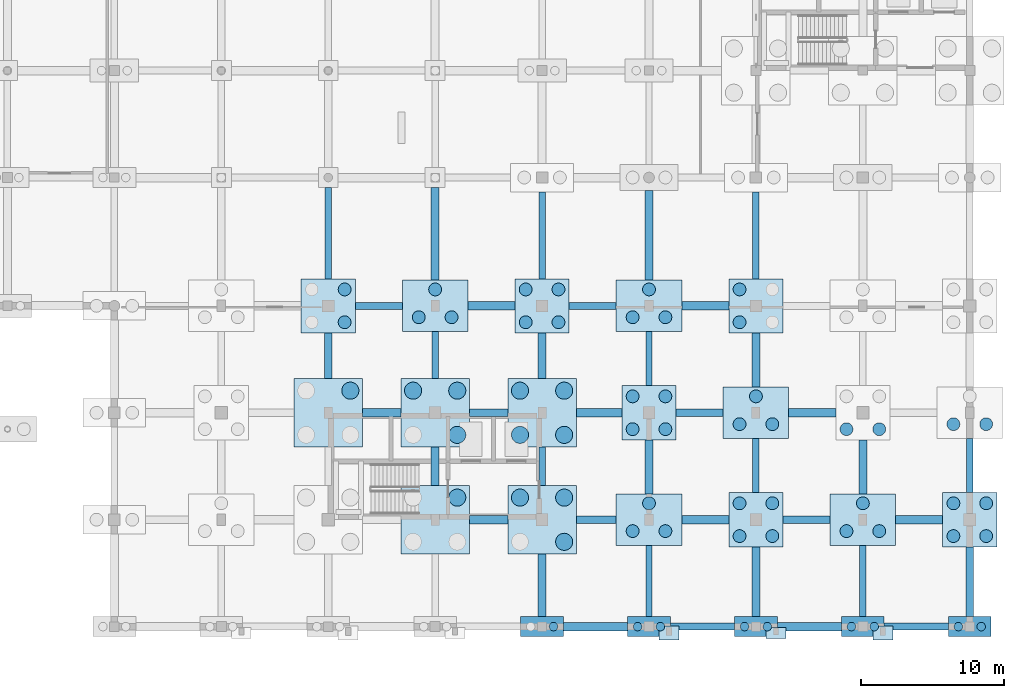
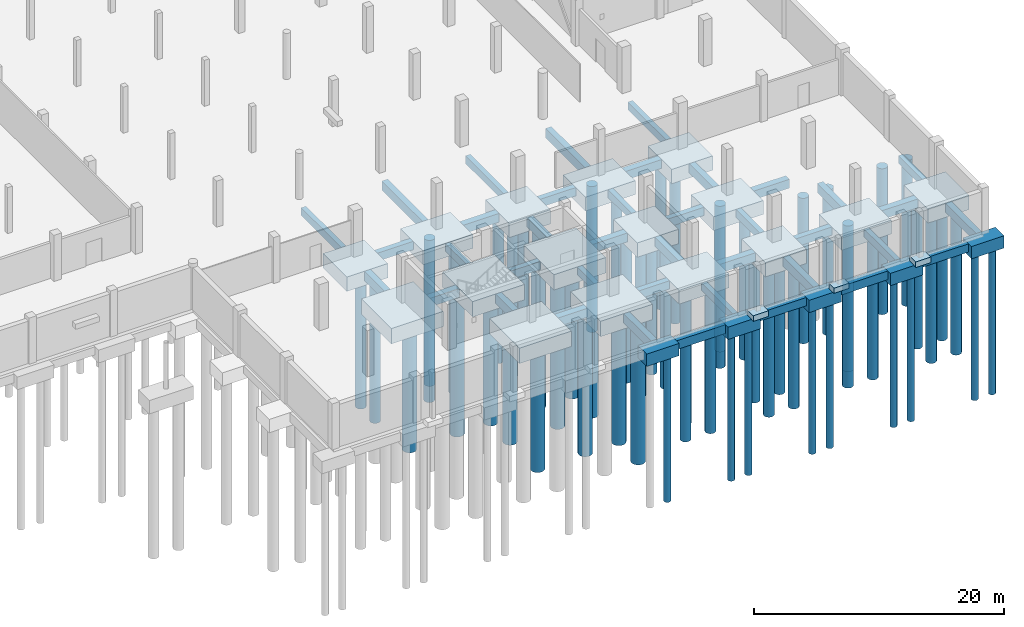
# One storey, part 11 of 42: 63 footings, 60 piles.
"""IFC4 building model written with IfcOpenShell, lengths in metres."""

from ifc_helpers import new_model, si_unit, direction, frame, origin, origin_2d, place, context, subcontext, project, spatial, rectangle, circle, extrude, material, material_profile, profile_set, type_object, element, save


model = new_model("IFC4")

# Units and contexts
model_context = context("Model", 3, precision=1e-05, world=origin(), true_north=direction((0.0, 1.0)))
body_context = subcontext(model_context, "Body", "Model", "MODEL_VIEW")
ifc_project = project(units=[si_unit("LENGTHUNIT", "METRE"), si_unit("AREAUNIT", "SQUARE_METRE"), si_unit("VOLUMEUNIT", "CUBIC_METRE"), si_unit("PLANEANGLEUNIT", "RADIAN"), si_unit("MASSUNIT", "GRAM", prefix="KILO")], contexts=[model_context])

# Site, building, storey
site_placement = place(None, origin())
site = spatial("IfcSite", under=ifc_project, at=site_placement, CompositionType="ELEMENT")
building_placement = place(site_placement, origin())
building = spatial("IfcBuilding", under=site, at=building_placement, Name="Dalvernix Boulevard General Hospital", CompositionType="ELEMENT")
storey_placement = place(building_placement, frame((0.0, 0.0, -4.5)))
storey = spatial("IfcBuildingStorey", under=building, at=storey_placement, Name="B1", CompositionType="ELEMENT", Elevation=-4.5)

# Footings
ifc_material_1 = material(Name="Concrete C35/45", Category="concrete")
footing_type_1 = type_object("IfcFootingType", Name="FTG-GB-01", PredefinedType="FOOTING_BEAM", material=ifc_material_1)
for number, where, z_axis, x_axis, name in (
    (1, (153.75, 0.0, -1.2998046875), (0.0, 0.0, 1.0), (1.0, 0.0, 0.0), "Ground beam A:21-22"),
    (2, (168.75, 0.0, -1.2998046875), (0.0, 0.0, 1.0), (1.0, 0.0, 0.0), "Ground beam A:23-24"),
):
    element("IfcFooting", number, at=place(storey_placement, frame(where, z_axis=z_axis, x_axis=x_axis)), inside=storey, type_object=footing_type_1, Name=name, PredefinedType="FOOTING_BEAM", context=body_context, shape_type="SweptSolid", body=[
        extrude(rectangle(XDim=4.5, YDim=0.5, at=origin_2d()), origin(), (0.0, 0.0, 1.0), 0.800048828125),
    ])
footing_1_placement = place(storey_placement, frame((146.300048828125, 7.5, -1.2998046875), z_axis=(0.0, 0.0, 1.0), x_axis=(1.0, 0.0, 0.0)))
element("IfcFooting", 3, at=footing_1_placement, inside=storey, type_object=footing_type_1, Name="Ground beam B:20-21", PredefinedType="FOOTING_BEAM", context=body_context, shape_type="SweptSolid", body=[
    extrude(rectangle(XDim=2.800048828125, YDim=0.5, at=origin_2d()), origin(), (0.0, 0.0, 1.0), 0.800048828125),
])
footing_2_placement = place(storey_placement, frame((161.050048828125, 7.5, -1.2998046875), z_axis=(0.0, 0.0, 1.0), x_axis=(1.0, 0.0, 0.0)))
element("IfcFooting", 4, at=footing_2_placement, inside=storey, type_object=footing_type_1, Name="Ground beam B:22-23", PredefinedType="FOOTING_BEAM", context=body_context, shape_type="SweptSolid", body=[
    extrude(rectangle(XDim=3.300048828125, YDim=0.5, at=origin_2d()), origin(), (0.0, 0.0, 1.0), 0.800048828125),
])
footing_3_placement = place(storey_placement, frame((138.75, 15.0, -1.2998046875), z_axis=(0.0, 0.0, 1.0), x_axis=(1.0, 0.0, 0.0)))
element("IfcFooting", 5, at=footing_3_placement, inside=storey, type_object=footing_type_1, Name="Ground beam C:19-20", PredefinedType="FOOTING_BEAM", context=body_context, shape_type="SweptSolid", body=[
    extrude(rectangle(XDim=2.699951171875, YDim=0.5, at=origin_2d()), origin(), (0.0, 0.0, 1.0), 0.800048828125),
])
for number, where, z_axis, x_axis, name in (
    (6, (153.550048828125, 15.0, -1.2998046875), (0.0, 0.0, 1.0), (1.0, 0.0, 0.0), "Ground beam C:21-22"),
    (7, (131.050048828125, 22.5, -1.2998046875), (0.0, 0.0, 1.0), (1.0, 0.0, 0.0), "Ground beam D:18-19"),
    (8, (146.050048828125, 22.5, -1.2998046875), (0.0, 0.0, 1.0), (1.0, 0.0, 0.0), "Ground beam D:20-21"),
):
    element("IfcFooting", number, at=place(storey_placement, frame(where, z_axis=z_axis, x_axis=x_axis)), inside=storey, type_object=footing_type_1, Name=name, PredefinedType="FOOTING_BEAM", context=body_context, shape_type="SweptSolid", body=[
        extrude(rectangle(XDim=3.300048828125, YDim=0.5, at=origin_2d()), origin(), (0.0, 0.0, 1.0), 0.800048828125),
    ])
footing_type_2 = type_object("IfcFootingType", Name="FTG-GB-02", PredefinedType="FOOTING_BEAM", material=ifc_material_1)
for number, where, z_axis, x_axis, name in (
    (9, (146.25, 0.0, -1.35009765625), (0.0, 0.0, 1.0), (1.0, 0.0, 0.0), "Ground beam A:20-21"),
    (10, (161.25, 0.0, -1.35009765625), (0.0, 0.0, 1.0), (1.0, 0.0, 0.0), "Ground beam A:22-23"),
):
    element("IfcFooting", number, at=place(storey_placement, frame(where, z_axis=z_axis, x_axis=x_axis)), inside=storey, type_object=footing_type_2, Name=name, PredefinedType="FOOTING_BEAM", context=body_context, shape_type="SweptSolid", body=[
        extrude(rectangle(XDim=4.5, YDim=0.60009765625, at=origin_2d()), origin(), (0.0, 0.0, 1.0), 0.85009765625),
    ])
footing_4_placement = place(storey_placement, frame((138.75, 7.5, -1.35009765625), z_axis=(0.0, 0.0, 1.0), x_axis=(1.0, 0.0, 0.0)))
element("IfcFooting", 11, at=footing_4_placement, inside=storey, type_object=footing_type_2, Name="Ground beam B:19-20", PredefinedType="FOOTING_BEAM", context=body_context, shape_type="SweptSolid", body=[
    extrude(rectangle(XDim=2.699951171875, YDim=0.60009765625, at=origin_2d()), origin(), (0.0, 0.0, 1.0), 0.85009765625),
])
for number, where, z_axis, x_axis, name in (
    (12, (153.949951171875, 7.5, -1.35009765625), (0.0, 0.0, 1.0), (1.0, 0.0, 0.0), "Ground beam B:21-22"),
    (13, (168.949951171875, 7.5, -1.35009765625), (0.0, 0.0, 1.0), (1.0, 0.0, 0.0), "Ground beam B:23-24"),
):
    element("IfcFooting", number, at=place(storey_placement, frame(where, z_axis=z_axis, x_axis=x_axis)), inside=storey, type_object=footing_type_2, Name=name, PredefinedType="FOOTING_BEAM", context=body_context, shape_type="SweptSolid", body=[
        extrude(rectangle(XDim=3.300048828125, YDim=0.60009765625, at=origin_2d()), origin(), (0.0, 0.0, 1.0), 0.85009765625),
    ])
footing_5_placement = place(storey_placement, frame((131.25, 15.0, -1.35009765625), z_axis=(0.0, 0.0, 1.0), x_axis=(1.0, 0.0, 0.0)))
element("IfcFooting", 14, at=footing_5_placement, inside=storey, type_object=footing_type_2, Name="Ground beam C:18-19", PredefinedType="FOOTING_BEAM", context=body_context, shape_type="SweptSolid", body=[
    extrude(rectangle(XDim=2.699951171875, YDim=0.60009765625, at=origin_2d()), origin(), (0.0, 0.0, 1.0), 0.85009765625),
])
footing_6_placement = place(storey_placement, frame((146.5, 15.0, -1.35009765625), z_axis=(0.0, 0.0, 1.0), x_axis=(1.0, 0.0, 0.0)))
element("IfcFooting", 15, at=footing_6_placement, inside=storey, type_object=footing_type_2, Name="Ground beam C:20-21", PredefinedType="FOOTING_BEAM", context=body_context, shape_type="SweptSolid", body=[
    extrude(rectangle(XDim=3.199951171875, YDim=0.60009765625, at=origin_2d()), origin(), (0.0, 0.0, 1.0), 0.85009765625),
])
for number, where, z_axis, x_axis, name in (
    (16, (161.449951171875, 15.0, -1.35009765625), (0.0, 0.0, 1.0), (1.0, 0.0, 0.0), "Ground beam C:22-23"),
    (17, (138.949951171875, 22.5, -1.35009765625), (0.0, 0.0, 1.0), (1.0, 0.0, 0.0), "Ground beam D:19-20"),
    (18, (153.949951171875, 22.5, -1.35009765625), (0.0, 0.0, 1.0), (1.0, 0.0, 0.0), "Ground beam D:21-22"),
):
    element("IfcFooting", number, at=place(storey_placement, frame(where, z_axis=z_axis, x_axis=x_axis)), inside=storey, type_object=footing_type_2, Name=name, PredefinedType="FOOTING_BEAM", context=body_context, shape_type="SweptSolid", body=[
        extrude(rectangle(XDim=3.300048828125, YDim=0.60009765625, at=origin_2d()), origin(), (0.0, 0.0, 1.0), 0.85009765625),
    ])
footing_type_3 = type_object("IfcFootingType", Name="FTG-GB-03", PredefinedType="FOOTING_BEAM", material=ifc_material_1)
footing_7_placement = place(storey_placement, frame((127.5, 27.60009765625, -1.25), z_axis=(0.0, 0.0, 1.0), x_axis=(0.0, 1.0, 0.0)))
element("IfcFooting", 19, at=footing_7_placement, inside=storey, type_object=footing_type_3, Name="Ground beam 18:D-E", PredefinedType="FOOTING_BEAM", context=body_context, shape_type="SweptSolid", body=[
    extrude(rectangle(XDim=6.39990234375, YDim=0.449951171875, at=origin_2d()), origin(), (0.0, 0.0, 1.0), 0.75),
])
footing_8_placement = place(storey_placement, frame((135.0, 19.050048828125, -1.25), z_axis=(0.0, 0.0, 1.0), x_axis=(0.0, 1.0, 0.0)))
element("IfcFooting", 20, at=footing_8_placement, inside=storey, type_object=footing_type_3, Name="Ground beam 19:C-D", PredefinedType="FOOTING_BEAM", context=body_context, shape_type="SweptSolid", body=[
    extrude(rectangle(XDim=3.300048828125, YDim=0.449951171875, at=origin_2d()), origin(), (0.0, 0.0, 1.0), 0.75),
])
footing_9_placement = place(storey_placement, frame((142.5, 11.25, -1.25), z_axis=(0.0, 0.0, 1.0), x_axis=(0.0, 1.0, 0.0)))
element("IfcFooting", 21, at=footing_9_placement, inside=storey, type_object=footing_type_3, Name="Ground beam 20:B-C", PredefinedType="FOOTING_BEAM", context=body_context, shape_type="SweptSolid", body=[
    extrude(rectangle(XDim=2.699951171875, YDim=0.449951171875, at=origin_2d()), origin(), (0.0, 0.0, 1.0), 0.75),
])
footing_10_placement = place(storey_placement, frame((142.5, 27.449951171875, -1.25), z_axis=(0.0, 0.0, 1.0), x_axis=(0.0, 1.0, 0.0)))
element("IfcFooting", 22, at=footing_10_placement, inside=storey, type_object=footing_type_3, Name="Ground beam 20:D-E", PredefinedType="FOOTING_BEAM", context=body_context, shape_type="SweptSolid", body=[
    extrude(rectangle(XDim=6.10009765625, YDim=0.449951171875, at=origin_2d()), origin(), (0.0, 0.0, 1.0), 0.75),
])
footing_11_placement = place(storey_placement, frame((150.0, 3.199951171875, -1.25), z_axis=(0.0, 0.0, 1.0), x_axis=(0.0, 1.0, 0.0)))
element("IfcFooting", 23, at=footing_11_placement, inside=storey, type_object=footing_type_3, Name="Ground beam 21:A-B", PredefinedType="FOOTING_BEAM", context=body_context, shape_type="SweptSolid", body=[
    extrude(rectangle(XDim=5.0, YDim=0.449951171875, at=origin_2d()), origin(), (0.0, 0.0, 1.0), 0.75),
])
for number, where, z_axis, x_axis, name in (
    (24, (150.0, 18.800048828125, -1.25), (0.0, 0.0, 1.0), (0.0, 1.0, 0.0), "Ground beam 21:C-D"),
    (25, (157.5, 11.300048828125, -1.25), (0.0, 0.0, 1.0), (0.0, 1.0, 0.0), "Ground beam 22:B-C"),
):
    element("IfcFooting", number, at=place(storey_placement, frame(where, z_axis=z_axis, x_axis=x_axis)), inside=storey, type_object=footing_type_3, Name=name, PredefinedType="FOOTING_BEAM", context=body_context, shape_type="SweptSolid", body=[
        extrude(rectangle(XDim=3.800048828125, YDim=0.449951171875, at=origin_2d()), origin(), (0.0, 0.0, 1.0), 0.75),
    ])
footing_12_placement = place(storey_placement, frame((157.5, 27.449951171875, -1.25), z_axis=(0.0, 0.0, 1.0), x_axis=(0.0, 1.0, 0.0)))
element("IfcFooting", 26, at=footing_12_placement, inside=storey, type_object=footing_type_3, Name="Ground beam 22:D-E", PredefinedType="FOOTING_BEAM", context=body_context, shape_type="SweptSolid", body=[
    extrude(rectangle(XDim=6.10009765625, YDim=0.449951171875, at=origin_2d()), origin(), (0.0, 0.0, 1.0), 0.75),
])
footing_13_placement = place(storey_placement, frame((165.0, 3.199951171875, -1.25), z_axis=(0.0, 0.0, 1.0), x_axis=(0.0, 1.0, 0.0)))
element("IfcFooting", 27, at=footing_13_placement, inside=storey, type_object=footing_type_3, Name="Ground beam 23:A-B", PredefinedType="FOOTING_BEAM", context=body_context, shape_type="SweptSolid", body=[
    extrude(rectangle(XDim=5.0, YDim=0.449951171875, at=origin_2d()), origin(), (0.0, 0.0, 1.0), 0.75),
])
footing_14_placement = place(storey_placement, frame((172.5, 11.300048828125, -1.25), z_axis=(0.0, 0.0, 1.0), x_axis=(0.0, 1.0, 0.0)))
element("IfcFooting", 28, at=footing_14_placement, inside=storey, type_object=footing_type_3, Name="Ground beam 24:B-C", PredefinedType="FOOTING_BEAM", context=body_context, shape_type="SweptSolid", body=[
    extrude(rectangle(XDim=3.800048828125, YDim=0.449951171875, at=origin_2d()), origin(), (0.0, 0.0, 1.0), 0.75),
])
footing_type_4 = type_object("IfcFootingType", Name="FTG-GB-04", PredefinedType="FOOTING_BEAM", material=ifc_material_1)
footing_15_placement = place(storey_placement, frame((127.5, 19.0, -1.39990234375), z_axis=(0.0, 0.0, 1.0), x_axis=(0.0, 1.0, 0.0)))
element("IfcFooting", 29, at=footing_15_placement, inside=storey, type_object=footing_type_4, Name="Ground beam 18:C-D", PredefinedType="FOOTING_BEAM", context=body_context, shape_type="SweptSolid", body=[
    extrude(rectangle(XDim=3.199951171875, YDim=0.550048828125, at=origin_2d()), origin(), (0.0, 0.0, 1.0), 0.89990234375),
])
footing_16_placement = place(storey_placement, frame((135.0, 11.25, -1.39990234375), z_axis=(0.0, 0.0, 1.0), x_axis=(0.0, 1.0, 0.0)))
element("IfcFooting", 30, at=footing_16_placement, inside=storey, type_object=footing_type_4, Name="Ground beam 19:B-C", PredefinedType="FOOTING_BEAM", context=body_context, shape_type="SweptSolid", body=[
    extrude(rectangle(XDim=2.699951171875, YDim=0.550048828125, at=origin_2d()), origin(), (0.0, 0.0, 1.0), 0.89990234375),
])
footing_17_placement = place(storey_placement, frame((135.0, 27.550048828125, -1.39990234375), z_axis=(0.0, 0.0, 1.0), x_axis=(0.0, 1.0, 0.0)))
element("IfcFooting", 31, at=footing_17_placement, inside=storey, type_object=footing_type_4, Name="Ground beam 19:D-E", PredefinedType="FOOTING_BEAM", context=body_context, shape_type="SweptSolid", body=[
    extrude(rectangle(XDim=6.5, YDim=0.550048828125, at=origin_2d()), origin(), (0.0, 0.0, 1.0), 0.89990234375),
])
footing_18_placement = place(storey_placement, frame((142.5, 2.89990234375, -1.39990234375), z_axis=(0.0, 0.0, 1.0), x_axis=(0.0, 1.0, 0.0)))
element("IfcFooting", 32, at=footing_18_placement, inside=storey, type_object=footing_type_4, Name="Ground beam 20:A-B", PredefinedType="FOOTING_BEAM", context=body_context, shape_type="SweptSolid", body=[
    extrude(rectangle(XDim=4.39990234375, YDim=0.550048828125, at=origin_2d()), origin(), (0.0, 0.0, 1.0), 0.89990234375),
])
footing_19_placement = place(storey_placement, frame((142.5, 19.0, -1.39990234375), z_axis=(0.0, 0.0, 1.0), x_axis=(0.0, 1.0, 0.0)))
element("IfcFooting", 33, at=footing_19_placement, inside=storey, type_object=footing_type_4, Name="Ground beam 20:C-D", PredefinedType="FOOTING_BEAM", context=body_context, shape_type="SweptSolid", body=[
    extrude(rectangle(XDim=3.199951171875, YDim=0.550048828125, at=origin_2d()), origin(), (0.0, 0.0, 1.0), 0.89990234375),
])
footing_20_placement = place(storey_placement, frame((150.0, 11.199951171875, -1.39990234375), z_axis=(0.0, 0.0, 1.0), x_axis=(0.0, 1.0, 0.0)))
element("IfcFooting", 34, at=footing_20_placement, inside=storey, type_object=footing_type_4, Name="Ground beam 21:B-C", PredefinedType="FOOTING_BEAM", context=body_context, shape_type="SweptSolid", body=[
    extrude(rectangle(XDim=3.800048828125, YDim=0.550048828125, at=origin_2d()), origin(), (0.0, 0.0, 1.0), 0.89990234375),
])
footing_21_placement = place(storey_placement, frame((150.0, 27.449951171875, -1.39990234375), z_axis=(0.0, 0.0, 1.0), x_axis=(0.0, 1.0, 0.0)))
element("IfcFooting", 35, at=footing_21_placement, inside=storey, type_object=footing_type_4, Name="Ground beam 21:D-E", PredefinedType="FOOTING_BEAM", context=body_context, shape_type="SweptSolid", body=[
    extrude(rectangle(XDim=6.300048828125, YDim=0.550048828125, at=origin_2d()), origin(), (0.0, 0.0, 1.0), 0.89990234375),
])
footing_22_placement = place(storey_placement, frame((157.5, 3.14990234375, -1.39990234375), z_axis=(0.0, 0.0, 1.0), x_axis=(0.0, 1.0, 0.0)))
element("IfcFooting", 36, at=footing_22_placement, inside=storey, type_object=footing_type_4, Name="Ground beam 22:A-B", PredefinedType="FOOTING_BEAM", context=body_context, shape_type="SweptSolid", body=[
    extrude(rectangle(XDim=4.89990234375, YDim=0.550048828125, at=origin_2d()), origin(), (0.0, 0.0, 1.0), 0.89990234375),
])
for number, where, z_axis, x_axis, name in (
    (37, (157.5, 18.699951171875, -1.39990234375), (0.0, 0.0, 1.0), (0.0, 1.0, 0.0), "Ground beam 22:C-D"),
    (38, (165.0, 11.199951171875, -1.39990234375), (0.0, 0.0, 1.0), (0.0, 1.0, 0.0), "Ground beam 23:B-C"),
):
    element("IfcFooting", number, at=place(storey_placement, frame(where, z_axis=z_axis, x_axis=x_axis)), inside=storey, type_object=footing_type_4, Name=name, PredefinedType="FOOTING_BEAM", context=body_context, shape_type="SweptSolid", body=[
        extrude(rectangle(XDim=3.800048828125, YDim=0.550048828125, at=origin_2d()), origin(), (0.0, 0.0, 1.0), 0.89990234375),
    ])
footing_23_placement = place(storey_placement, frame((172.5, 3.14990234375, -1.39990234375), z_axis=(0.0, 0.0, 1.0), x_axis=(0.0, 1.0, 0.0)))
element("IfcFooting", 39, at=footing_23_placement, inside=storey, type_object=footing_type_4, Name="Ground beam 24:A-B", PredefinedType="FOOTING_BEAM", context=body_context, shape_type="SweptSolid", body=[
    extrude(rectangle(XDim=4.89990234375, YDim=0.550048828125, at=origin_2d()), origin(), (0.0, 0.0, 1.0), 0.89990234375),
])
ifc_material_2 = material(Name="Concrete C40/50", Category="concrete")
footing_type_5 = type_object("IfcFootingType", Name="FTG-PC-02", PredefinedType="PILE_CAP", material=ifc_material_2)
for number, where, z_axis, x_axis, name in (
    (40, (142.5, 0.0, -1.7001953125), (0.0, 0.0, 1.0), (1.0, 0.0, 0.0), "Pile cap 20A"),
    (41, (150.0, 0.0, -1.7001953125), (0.0, 0.0, 1.0), (1.0, 0.0, 0.0), "Pile cap 21A"),
    (42, (157.5, 0.0, -1.7001953125), (0.0, 0.0, 1.0), (1.0, 0.0, 0.0), "Pile cap 22A"),
    (43, (165.0, 0.0, -1.7001953125), (0.0, 0.0, 1.0), (1.0, 0.0, 0.0), "Pile cap 23A"),
    (44, (172.5, 0.0, -1.7001953125), (0.0, 0.0, 1.0), (1.0, 0.0, 0.0), "Pile cap 24A"),
):
    element("IfcFooting", number, at=place(storey_placement, frame(where, z_axis=z_axis, x_axis=x_axis)), inside=storey, type_object=footing_type_5, Name=name, PredefinedType="PILE_CAP", context=body_context, shape_type="SweptSolid", body=[
        extrude(rectangle(XDim=3.0, YDim=1.39990234375, at=origin_2d()), origin(), (0.0, 0.0, 1.0), 1.199951171875),
    ])
footing_type_6 = type_object("IfcFootingType", Name="FTG-PC-06", PredefinedType="PILE_CAP", material=ifc_material_2)
for number, where, z_axis, x_axis, name in (
    (45, (135.0, 22.5, -1.85009765625), (0.0, 0.0, 1.0), (1.0, 0.0, 0.0), "Pile cap 19D"),
    (46, (150.0, 7.5, -1.85009765625), (0.0, 0.0, 1.0), (1.0, 0.0, 0.0), "Pile cap 21B"),
    (47, (150.0, 22.5, -1.85009765625), (0.0, 0.0, 1.0), (1.0, 0.0, 0.0), "Pile cap 21D"),
    (48, (157.5, 15.0, -1.85009765625), (0.0, 0.0, 1.0), (1.0, 0.0, 0.0), "Pile cap 22C"),
    (49, (165.0, 7.5, -1.85009765625), (0.0, 0.0, 1.0), (1.0, 0.0, 0.0), "Pile cap 23B"),
):
    element("IfcFooting", number, at=place(storey_placement, frame(where, z_axis=z_axis, x_axis=x_axis)), inside=storey, type_object=footing_type_6, Name=name, PredefinedType="PILE_CAP", context=body_context, shape_type="SweptSolid", body=[
        extrude(rectangle(XDim=4.60009765625, YDim=3.60009765625, at=origin_2d()), origin(), (0.0, 0.0, 1.0), 1.35009765625),
    ])
footing_type_7 = type_object("IfcFootingType", Name="FTG-PC-07", PredefinedType="PILE_CAP", material=ifc_material_2)
for number, where, z_axis, x_axis, name in (
    (50, (127.5, 22.5, -1.89990234375), (0.0, 0.0, 1.0), (1.0, 0.0, 0.0), "Pile cap 18D"),
    (51, (142.5, 22.5, -1.89990234375), (0.0, 0.0, 1.0), (1.0, 0.0, 0.0), "Pile cap 20D"),
    (52, (150.0, 15.0, -1.89990234375), (0.0, 0.0, 1.0), (1.0, 0.0, 0.0), "Pile cap 21C"),
    (53, (157.5, 7.5, -1.89990234375), (0.0, 0.0, 1.0), (1.0, 0.0, 0.0), "Pile cap 22B"),
    (54, (157.5, 22.5, -1.89990234375), (0.0, 0.0, 1.0), (1.0, 0.0, 0.0), "Pile cap 22D"),
    (55, (172.5, 7.5, -1.89990234375), (0.0, 0.0, 1.0), (1.0, 0.0, 0.0), "Pile cap 24B"),
):
    element("IfcFooting", number, at=place(storey_placement, frame(where, z_axis=z_axis, x_axis=x_axis)), inside=storey, type_object=footing_type_7, Name=name, PredefinedType="PILE_CAP", context=body_context, shape_type="SweptSolid", body=[
        extrude(rectangle(XDim=3.800048828125, YDim=3.800048828125, at=origin_2d()), origin(), (0.0, 0.0, 1.0), 1.39990234375),
    ])
footing_type_8 = type_object("IfcFootingType", Name="FTG-PC-09", PredefinedType="PILE_CAP", material=ifc_material_2)
for number, where, z_axis, x_axis, name in (
    (56, (127.5, 15.0, -2.0), (0.0, 0.0, 1.0), (1.0, 0.0, 0.0), "Pile cap 18C"),
    (57, (135.0, 7.5, -2.0), (0.0, 0.0, 1.0), (1.0, 0.0, 0.0), "Pile cap 19B"),
    (58, (135.0, 15.0, -2.0), (0.0, 0.0, 1.0), (1.0, 0.0, 0.0), "Pile cap 19C"),
    (59, (142.5, 7.5, -2.0), (0.0, 0.0, 1.0), (1.0, 0.0, 0.0), "Pile cap 20B"),
    (60, (142.5, 15.0, -2.0), (0.0, 0.0, 1.0), (1.0, 0.0, 0.0), "Pile cap 20C"),
):
    element("IfcFooting", number, at=place(storey_placement, frame(where, z_axis=z_axis, x_axis=x_axis)), inside=storey, type_object=footing_type_8, Name=name, PredefinedType="PILE_CAP", context=body_context, shape_type="SweptSolid", body=[
        extrude(rectangle(XDim=4.800048828125, YDim=4.800048828125, at=origin_2d()), origin(), (0.0, 0.0, 1.0), 1.5),
    ])
footing_type_9 = type_object("IfcFootingType", Name="FTG-SF-01", PredefinedType="STRIP_FOOTING", material=ifc_material_1)
footing_24_placement = place(storey_placement, frame((158.89990234375, -0.449951171875, -0.5), z_axis=(0.0, 0.0, 1.0), x_axis=(1.0, 0.0, 0.0)))
element("IfcFooting", 61, at=footing_24_placement, inside=storey, type_object=footing_type_9, Name="Boulevard buttress strip footing 11", PredefinedType="STRIP_FOOTING", context=body_context, shape_type="SweptSolid", body=[
    extrude(rectangle(XDim=1.39990234375, YDim=0.800048828125, at=origin_2d()), origin(), (0.0, 0.0, 1.0), 0.5),
])
footing_type_10 = type_object("IfcFootingType", Name="FTG-SF-02", PredefinedType="STRIP_FOOTING", material=ifc_material_1)
for number, where, z_axis, x_axis, name in (
    (62, (151.39990234375, -0.449951171875, -0.5498046875), (0.0, 0.0, 1.0), (1.0, 0.0, 0.0), "Boulevard buttress strip footing 10"),
    (63, (166.39990234375, -0.449951171875, -0.5498046875), (0.0, 0.0, 1.0), (1.0, 0.0, 0.0), "Boulevard buttress strip footing 12"),
):
    element("IfcFooting", number, at=place(storey_placement, frame(where, z_axis=z_axis, x_axis=x_axis)), inside=storey, type_object=footing_type_10, Name=name, PredefinedType="STRIP_FOOTING", context=body_context, shape_type="SweptSolid", body=[
        extrude(rectangle(XDim=1.39990234375, YDim=1.0, at=origin_2d()), origin(), (0.0, 0.0, 1.0), 0.550048828125),
    ])

# Piles
ifc_material_profile_1 = material_profile(ifc_material_1, circle(Radius=0.300048828125, at=origin_2d()), Name="BORED PILE D600")
ifc_profile_set_1 = profile_set([ifc_material_profile_1], Name="Concrete C35/45")
pile_type_1 = type_object("IfcPileType", Name="PILE-PL-01", PredefinedType="BORED", material=ifc_profile_set_1)
for number, where, z_axis, x_axis, name in (
    (64, (143.300048828125, 0.0, -1.60009765625), (0.0, 0.0, -1.0), (1.0, 0.0, 0.0), "Bored pile 20A-2"),
    (65, (149.199951171875, 0.0, -1.60009765625), (0.0, 0.0, -1.0), (1.0, 0.0, 0.0), "Bored pile 21A-1"),
    (66, (150.800048828125, 0.0, -1.60009765625), (0.0, 0.0, -1.0), (1.0, 0.0, 0.0), "Bored pile 21A-2"),
    (67, (156.699951171875, 0.0, -1.60009765625), (0.0, 0.0, -1.0), (1.0, 0.0, 0.0), "Bored pile 22A-1"),
    (68, (158.300048828125, 0.0, -1.60009765625), (0.0, 0.0, -1.0), (1.0, 0.0, 0.0), "Bored pile 22A-2"),
    (69, (164.199951171875, 0.0, -1.60009765625), (0.0, 0.0, -1.0), (1.0, 0.0, 0.0), "Bored pile 23A-1"),
    (70, (165.800048828125, 0.0, -1.60009765625), (0.0, 0.0, -1.0), (1.0, 0.0, 0.0), "Bored pile 23A-2"),
    (71, (171.699951171875, 0.0, -1.60009765625), (0.0, 0.0, -1.0), (1.0, 0.0, 0.0), "Bored pile 24A-1"),
    (72, (173.300048828125, 0.0, -1.60009765625), (0.0, 0.0, -1.0), (1.0, 0.0, 0.0), "Bored pile 24A-2"),
):
    element("IfcPile", number, at=place(storey_placement, frame(where, z_axis=z_axis, x_axis=x_axis)), inside=storey, type_object=pile_type_1, Name=name, PredefinedType="BORED", context=body_context, shape_type="SweptSolid", body=[
        extrude(circle(Radius=0.300048828125, at=origin_2d()), origin(), (0.0, 0.0, 1.0), 14.39990234375),
    ])
ifc_material_profile_2 = material_profile(ifc_material_1, circle(Radius=0.449951171875, at=origin_2d()), Name="BORED PILE D900")
ifc_profile_set_2 = profile_set([ifc_material_profile_2], Name="Concrete C35/45")
pile_type_2 = type_object("IfcPileType", Name="PILE-PL-02", PredefinedType="BORED", material=ifc_profile_set_2)
for number, where, z_axis, x_axis, name in (
    (73, (128.64990234375, 21.35009765625, -1.800048828125), (0.0, 0.0, -1.0), (1.0, 0.0, 0.0), "Bored pile 18D-2"),
    (74, (128.64990234375, 23.64990234375, -1.800048828125), (0.0, 0.0, -1.0), (1.0, 0.0, 0.0), "Bored pile 18D-4"),
):
    element("IfcPile", number, at=place(storey_placement, frame(where, z_axis=z_axis, x_axis=x_axis)), inside=storey, type_object=pile_type_2, Name=name, PredefinedType="BORED", context=body_context, shape_type="SweptSolid", body=[
        extrude(circle(Radius=0.449951171875, at=origin_2d()), origin(), (0.0, 0.0, 1.0), 14.199951171875),
    ])
for number, where, z_axis, x_axis, name in (
    (75, (133.85009765625, 21.699951171875, -1.75), (0.0, 0.0, -1.0), (1.0, 0.0, 0.0), "Bored pile 19D-1"),
    (76, (136.14990234375, 21.699951171875, -1.75), (0.0, 0.0, -1.0), (1.0, 0.0, 0.0), "Bored pile 19D-2"),
    (77, (135.0, 23.64990234375, -1.75), (0.0, 0.0, -1.0), (1.0, 0.0, 0.0), "Bored pile 19D-3"),
):
    element("IfcPile", number, at=place(storey_placement, frame(where, z_axis=z_axis, x_axis=x_axis)), inside=storey, type_object=pile_type_2, Name=name, PredefinedType="BORED", context=body_context, shape_type="SweptSolid", body=[
        extrude(circle(Radius=0.449951171875, at=origin_2d()), origin(), (0.0, 0.0, 1.0), 14.25),
    ])
for number, where, z_axis, x_axis, name in (
    (78, (141.35009765625, 21.35009765625, -1.800048828125), (0.0, 0.0, -1.0), (1.0, 0.0, 0.0), "Bored pile 20D-1"),
    (79, (143.64990234375, 21.35009765625, -1.800048828125), (0.0, 0.0, -1.0), (1.0, 0.0, 0.0), "Bored pile 20D-2"),
    (80, (141.35009765625, 23.64990234375, -1.800048828125), (0.0, 0.0, -1.0), (1.0, 0.0, 0.0), "Bored pile 20D-3"),
    (81, (143.64990234375, 23.64990234375, -1.800048828125), (0.0, 0.0, -1.0), (1.0, 0.0, 0.0), "Bored pile 20D-4"),
):
    element("IfcPile", number, at=place(storey_placement, frame(where, z_axis=z_axis, x_axis=x_axis)), inside=storey, type_object=pile_type_2, Name=name, PredefinedType="BORED", context=body_context, shape_type="SweptSolid", body=[
        extrude(circle(Radius=0.449951171875, at=origin_2d()), origin(), (0.0, 0.0, 1.0), 14.199951171875),
    ])
for number, where, z_axis, x_axis, name in (
    (82, (148.85009765625, 6.699951171875, -1.75), (0.0, 0.0, -1.0), (1.0, 0.0, 0.0), "Bored pile 21B-1"),
    (83, (151.14990234375, 6.699951171875, -1.75), (0.0, 0.0, -1.0), (1.0, 0.0, 0.0), "Bored pile 21B-2"),
    (84, (150.0, 8.64990234375, -1.75), (0.0, 0.0, -1.0), (1.0, 0.0, 0.0), "Bored pile 21B-3"),
):
    element("IfcPile", number, at=place(storey_placement, frame(where, z_axis=z_axis, x_axis=x_axis)), inside=storey, type_object=pile_type_2, Name=name, PredefinedType="BORED", context=body_context, shape_type="SweptSolid", body=[
        extrude(circle(Radius=0.449951171875, at=origin_2d()), origin(), (0.0, 0.0, 1.0), 14.25),
    ])
for number, where, z_axis, x_axis, name in (
    (85, (148.85009765625, 13.85009765625, -1.800048828125), (0.0, 0.0, -1.0), (1.0, 0.0, 0.0), "Bored pile 21C-1"),
    (86, (151.14990234375, 13.85009765625, -1.800048828125), (0.0, 0.0, -1.0), (1.0, 0.0, 0.0), "Bored pile 21C-2"),
    (87, (148.85009765625, 16.14990234375, -1.800048828125), (0.0, 0.0, -1.0), (1.0, 0.0, 0.0), "Bored pile 21C-3"),
    (88, (151.14990234375, 16.14990234375, -1.800048828125), (0.0, 0.0, -1.0), (1.0, 0.0, 0.0), "Bored pile 21C-4"),
):
    element("IfcPile", number, at=place(storey_placement, frame(where, z_axis=z_axis, x_axis=x_axis)), inside=storey, type_object=pile_type_2, Name=name, PredefinedType="BORED", context=body_context, shape_type="SweptSolid", body=[
        extrude(circle(Radius=0.449951171875, at=origin_2d()), origin(), (0.0, 0.0, 1.0), 14.199951171875),
    ])
for number, where, z_axis, x_axis, name in (
    (89, (148.85009765625, 21.699951171875, -1.75), (0.0, 0.0, -1.0), (1.0, 0.0, 0.0), "Bored pile 21D-1"),
    (90, (151.14990234375, 21.699951171875, -1.75), (0.0, 0.0, -1.0), (1.0, 0.0, 0.0), "Bored pile 21D-2"),
    (91, (150.0, 23.64990234375, -1.75), (0.0, 0.0, -1.0), (1.0, 0.0, 0.0), "Bored pile 21D-3"),
):
    element("IfcPile", number, at=place(storey_placement, frame(where, z_axis=z_axis, x_axis=x_axis)), inside=storey, type_object=pile_type_2, Name=name, PredefinedType="BORED", context=body_context, shape_type="SweptSolid", body=[
        extrude(circle(Radius=0.449951171875, at=origin_2d()), origin(), (0.0, 0.0, 1.0), 14.25),
    ])
for number, where, z_axis, x_axis, name in (
    (92, (156.35009765625, 6.35009765625, -1.800048828125), (0.0, 0.0, -1.0), (1.0, 0.0, 0.0), "Bored pile 22B-1"),
    (93, (158.64990234375, 6.35009765625, -1.800048828125), (0.0, 0.0, -1.0), (1.0, 0.0, 0.0), "Bored pile 22B-2"),
    (94, (156.35009765625, 8.64990234375, -1.800048828125), (0.0, 0.0, -1.0), (1.0, 0.0, 0.0), "Bored pile 22B-3"),
    (95, (158.64990234375, 8.64990234375, -1.800048828125), (0.0, 0.0, -1.0), (1.0, 0.0, 0.0), "Bored pile 22B-4"),
):
    element("IfcPile", number, at=place(storey_placement, frame(where, z_axis=z_axis, x_axis=x_axis)), inside=storey, type_object=pile_type_2, Name=name, PredefinedType="BORED", context=body_context, shape_type="SweptSolid", body=[
        extrude(circle(Radius=0.449951171875, at=origin_2d()), origin(), (0.0, 0.0, 1.0), 14.199951171875),
    ])
for number, where, z_axis, x_axis, name in (
    (96, (156.35009765625, 14.199951171875, -1.75), (0.0, 0.0, -1.0), (1.0, 0.0, 0.0), "Bored pile 22C-1"),
    (97, (158.64990234375, 14.199951171875, -1.75), (0.0, 0.0, -1.0), (1.0, 0.0, 0.0), "Bored pile 22C-2"),
    (98, (157.5, 16.14990234375, -1.75), (0.0, 0.0, -1.0), (1.0, 0.0, 0.0), "Bored pile 22C-3"),
):
    element("IfcPile", number, at=place(storey_placement, frame(where, z_axis=z_axis, x_axis=x_axis)), inside=storey, type_object=pile_type_2, Name=name, PredefinedType="BORED", context=body_context, shape_type="SweptSolid", body=[
        extrude(circle(Radius=0.449951171875, at=origin_2d()), origin(), (0.0, 0.0, 1.0), 14.25),
    ])
for number, where, z_axis, x_axis, name in (
    (99, (156.35009765625, 21.35009765625, -1.800048828125), (0.0, 0.0, -1.0), (1.0, 0.0, 0.0), "Bored pile 22D-1"),
    (100, (156.35009765625, 23.64990234375, -1.800048828125), (0.0, 0.0, -1.0), (1.0, 0.0, 0.0), "Bored pile 22D-3"),
):
    element("IfcPile", number, at=place(storey_placement, frame(where, z_axis=z_axis, x_axis=x_axis)), inside=storey, type_object=pile_type_2, Name=name, PredefinedType="BORED", context=body_context, shape_type="SweptSolid", body=[
        extrude(circle(Radius=0.449951171875, at=origin_2d()), origin(), (0.0, 0.0, 1.0), 14.199951171875),
    ])
for number, where, z_axis, x_axis, name in (
    (101, (163.85009765625, 6.699951171875, -1.75), (0.0, 0.0, -1.0), (1.0, 0.0, 0.0), "Bored pile 23B-1"),
    (102, (166.14990234375, 6.699951171875, -1.75), (0.0, 0.0, -1.0), (1.0, 0.0, 0.0), "Bored pile 23B-2"),
    (103, (165.0, 8.64990234375, -1.75), (0.0, 0.0, -1.0), (1.0, 0.0, 0.0), "Bored pile 23B-3"),
):
    element("IfcPile", number, at=place(storey_placement, frame(where, z_axis=z_axis, x_axis=x_axis)), inside=storey, type_object=pile_type_2, Name=name, PredefinedType="BORED", context=body_context, shape_type="SweptSolid", body=[
        extrude(circle(Radius=0.449951171875, at=origin_2d()), origin(), (0.0, 0.0, 1.0), 14.25),
    ])
for number, where, z_axis, x_axis, name in (
    (104, (163.85009765625, 13.85009765625, -1.800048828125), (0.0, 0.0, -1.0), (1.0, 0.0, 0.0), "Bored pile 23C-1"),
    (105, (166.14990234375, 13.85009765625, -1.800048828125), (0.0, 0.0, -1.0), (1.0, 0.0, 0.0), "Bored pile 23C-2"),
    (106, (171.35009765625, 6.35009765625, -1.800048828125), (0.0, 0.0, -1.0), (1.0, 0.0, 0.0), "Bored pile 24B-1"),
    (107, (173.64990234375, 6.35009765625, -1.800048828125), (0.0, 0.0, -1.0), (1.0, 0.0, 0.0), "Bored pile 24B-2"),
    (108, (171.35009765625, 8.64990234375, -1.800048828125), (0.0, 0.0, -1.0), (1.0, 0.0, 0.0), "Bored pile 24B-3"),
    (109, (173.64990234375, 8.64990234375, -1.800048828125), (0.0, 0.0, -1.0), (1.0, 0.0, 0.0), "Bored pile 24B-4"),
):
    element("IfcPile", number, at=place(storey_placement, frame(where, z_axis=z_axis, x_axis=x_axis)), inside=storey, type_object=pile_type_2, Name=name, PredefinedType="BORED", context=body_context, shape_type="SweptSolid", body=[
        extrude(circle(Radius=0.449951171875, at=origin_2d()), origin(), (0.0, 0.0, 1.0), 14.199951171875),
    ])
for number, where, z_axis, x_axis, name in (
    (110, (171.35009765625, 14.199951171875, -1.75), (0.0, 0.0, -1.0), (1.0, 0.0, 0.0), "Bored pile 24C-1"),
    (111, (173.64990234375, 14.199951171875, -1.75), (0.0, 0.0, -1.0), (1.0, 0.0, 0.0), "Bored pile 24C-2"),
):
    element("IfcPile", number, at=place(storey_placement, frame(where, z_axis=z_axis, x_axis=x_axis)), inside=storey, type_object=pile_type_2, Name=name, PredefinedType="BORED", context=body_context, shape_type="SweptSolid", body=[
        extrude(circle(Radius=0.449951171875, at=origin_2d()), origin(), (0.0, 0.0, 1.0), 14.25),
    ])
ifc_material_profile_3 = material_profile(ifc_material_1, circle(Radius=0.60009765625, at=origin_2d()), Name="BORED PILE D1200")
ifc_profile_set_3 = profile_set([ifc_material_profile_3], Name="Concrete C35/45")
pile_type_3 = type_object("IfcPileType", Name="PILE-PL-03", PredefinedType="BORED", material=ifc_profile_set_3)
for number, where, z_axis, x_axis, name in (
    (112, (129.050048828125, 16.550048828125, -1.89990234375), (0.0, 0.0, -1.0), (1.0, 0.0, 0.0), "Bored pile 18C-4"),
    (113, (136.550048828125, 9.050048828125, -1.89990234375), (0.0, 0.0, -1.0), (1.0, 0.0, 0.0), "Bored pile 19B-4"),
    (114, (136.550048828125, 13.449951171875, -1.89990234375), (0.0, 0.0, -1.0), (1.0, 0.0, 0.0), "Bored pile 19C-2"),
    (115, (133.449951171875, 16.550048828125, -1.89990234375), (0.0, 0.0, -1.0), (1.0, 0.0, 0.0), "Bored pile 19C-3"),
    (116, (136.550048828125, 16.550048828125, -1.89990234375), (0.0, 0.0, -1.0), (1.0, 0.0, 0.0), "Bored pile 19C-4"),
    (117, (144.050048828125, 5.949951171875, -1.89990234375), (0.0, 0.0, -1.0), (1.0, 0.0, 0.0), "Bored pile 20B-2"),
    (118, (140.949951171875, 9.050048828125, -1.89990234375), (0.0, 0.0, -1.0), (1.0, 0.0, 0.0), "Bored pile 20B-3"),
    (119, (144.050048828125, 9.050048828125, -1.89990234375), (0.0, 0.0, -1.0), (1.0, 0.0, 0.0), "Bored pile 20B-4"),
    (120, (140.949951171875, 13.449951171875, -1.89990234375), (0.0, 0.0, -1.0), (1.0, 0.0, 0.0), "Bored pile 20C-1"),
    (121, (144.050048828125, 13.449951171875, -1.89990234375), (0.0, 0.0, -1.0), (1.0, 0.0, 0.0), "Bored pile 20C-2"),
    (122, (140.949951171875, 16.550048828125, -1.89990234375), (0.0, 0.0, -1.0), (1.0, 0.0, 0.0), "Bored pile 20C-3"),
    (123, (144.050048828125, 16.550048828125, -1.89990234375), (0.0, 0.0, -1.0), (1.0, 0.0, 0.0), "Bored pile 20C-4"),
):
    element("IfcPile", number, at=place(storey_placement, frame(where, z_axis=z_axis, x_axis=x_axis)), inside=storey, type_object=pile_type_3, Name=name, PredefinedType="BORED", context=body_context, shape_type="SweptSolid", body=[
        extrude(circle(Radius=0.60009765625, at=origin_2d()), origin(), (0.0, 0.0, 1.0), 14.10009765625),
    ])

save(model, "model.ifc")
